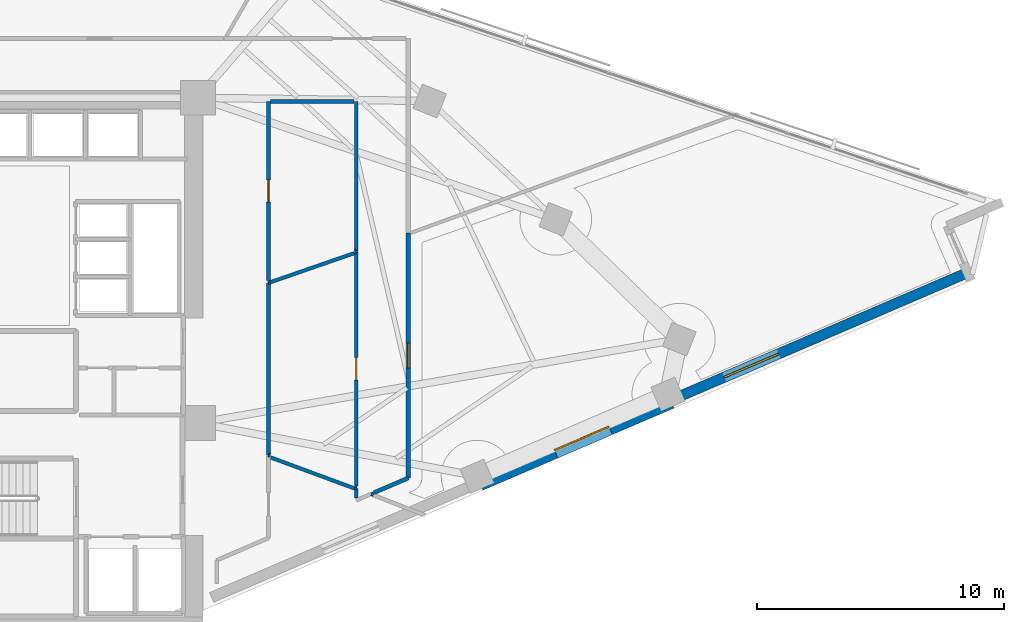
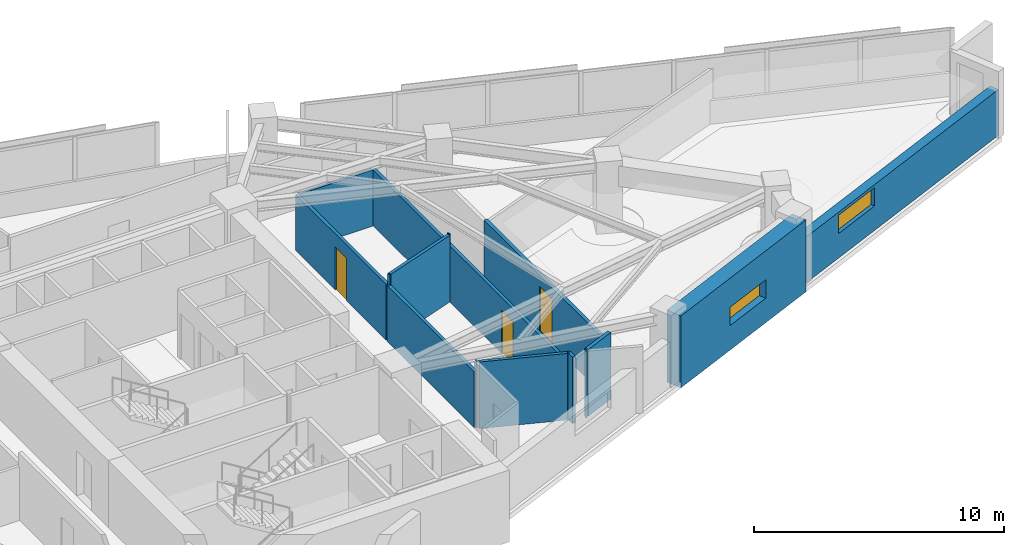
# One storey, part 11 of 14: 17 walls, 3 doors, 2 windows, 5 openings.
"""IFC4 building model written with IfcOpenShell, lengths in metres."""

from ifc_helpers import new_model, si_unit, direction, frame, frame_2d, origin, place, context, subcontext, project, spatial, rectangle, extrude, material, layer, layer_set, type_object, element, fill, save


model = new_model("IFC4")

# Units and contexts
model_context = context("Model", 3, precision=1e-05, world=origin(), true_north=direction((0.0, 1.0)))
body_context = subcontext(model_context, "Body", "Model", "MODEL_VIEW")
ifc_project = project(units=[si_unit("LENGTHUNIT", "METRE"), si_unit("AREAUNIT", "SQUARE_METRE"), si_unit("VOLUMEUNIT", "CUBIC_METRE"), si_unit("PLANEANGLEUNIT", "RADIAN"), si_unit("MASSUNIT", "GRAM", prefix="KILO")], contexts=[model_context])

# Site, building, storey
site_placement = place(None, origin())
site = spatial("IfcSite", under=ifc_project, at=site_placement, CompositionType="ELEMENT")
building_placement = place(site_placement, origin())
building = spatial("IfcBuilding", under=site, at=building_placement, Name="Narakoshi Arena Tower", CompositionType="ELEMENT")
storey_placement = place(building_placement, frame((0.0, 0.0, 182.6201171875)))
storey = spatial("IfcBuildingStorey", under=building, at=storey_placement, Name="L49", CompositionType="ELEMENT", Elevation=182.6201171875)

# Wall, opening, door
ifc_material_1 = material(Name="Gypsum plasterboard fire-rated partition")
ifc_layer_1 = layer(ifc_material_1, 0.1650390625)
ifc_layer_set_1 = layer_set([ifc_layer_1], Name="Gypsum plasterboard fire-rated partition")
wall_type_1 = type_object("IfcWallType", Name="WL-CORR-165", PredefinedType="PARTITIONING", material=ifc_layer_set_1)
wall_1_placement = place(storey_placement, frame((94.050048828125, 41.126708984375, 0.0), z_axis=(0.0, 0.0, 1.0), x_axis=(0.0, 1.0, 0.0)))
wall_1 = element("IfcWall", 1, at=wall_1_placement, inside=storey, type_object=wall_type_1, Name="L49 Corridor Partition 04-1", PredefinedType="PARTITIONING", context=body_context, shape_type="SweptSolid", body=[
    extrude(rectangle(XDim=9.90576171875, YDim=0.1650390625, at=frame_2d((4.952880859375, 0.0))), origin(), (0.0, 0.0, 1.0), 2.744873046875),
])
opening_1_placement = place(wall_1_placement, frame((4.452880859375, 0.0, 0.0)))
opening_1 = element("IfcOpeningElement", 2, at=opening_1_placement, cuts=wall_1, Name="Opening D-06", PredefinedType="OPENING", context=body_context, shape_type="SweptSolid", body=[
    extrude(rectangle(XDim=1.0, YDim=2.199951171875, at=frame_2d((0.5, 1.10009765625))), frame((0.0, 0.092529296875, 0.0), z_axis=(0.0, -1.0, 0.0), x_axis=(1.0, 0.0, 0.0)), (0.0, 0.0, 1.0), 0.18505859375),
])
ifc_material_2 = material(Name="Stained oak solid-core timber", Category="wood")
door_type_1 = type_object("IfcDoorType", Name="DR-OFF-1000", OperationType="NOTDEFINED", PredefinedType="DOOR", material=ifc_material_2)
door_1_placement = place(opening_1_placement, frame((1.0, 0.0, 0.0), z_axis=(0.0, 0.0, 1.0), x_axis=(-1.0, 0.0, 0.0)))
door_1 = element("IfcDoor", 3, at=door_1_placement, inside=storey, type_object=door_type_1, Name="DR-L49-018", OperationType="SINGLE_SWING_RIGHT", OverallHeight=2.199951171875, OverallWidth=1.0, PredefinedType="DOOR", context=body_context, shape_type="SweptSolid", body=[
    extrude(rectangle(XDim=1.0, YDim=2.199951171875, at=frame_2d((0.5, 1.10009765625))), frame((0.0, 0.02490234375, 0.0), z_axis=(0.0, -1.0, 0.0), x_axis=(1.0, 0.0, 0.0)), (0.0, 0.0, 1.0), 0.050048828125),
])
fill(opening_1, door_1)

# Wall
wall_2_placement = place(storey_placement, frame((92.666748046875, 40.532470703125, 0.0), z_axis=(0.0, 0.0, 1.0), x_axis=(0.918809189305, 0.394702006136, 0.0)))
element("IfcWall", 4, at=wall_2_placement, inside=storey, type_object=wall_type_1, Name="L49 Corridor Partition 04-2", PredefinedType="PARTITIONING", context=body_context, shape_type="SweptSolid", body=[
    extrude(rectangle(XDim=1.505615234375, YDim=0.1650390625, at=frame_2d((0.7529296875, 0.0))), origin(), (0.0, 0.0, 1.0), 3.259765625),
])

# Wall, opening, window
ifc_material_3 = material(Name="Concrete C60/75", Category="concrete")
ifc_layer_2 = layer(ifc_material_3, 0.699951171875)
ifc_layer_set_2 = layer_set([ifc_layer_2], Name="Concrete C60/75")
wall_type_2 = type_object("IfcWallType", Name="WL-LEG-700", PredefinedType="SHEAR", material=ifc_layer_set_2)
wall_3_placement = place(storey_placement, frame((96.936767578125, 40.951904296875, -0.260009765625), z_axis=(0.0, 0.0, 1.0), x_axis=(0.918782407933, 0.394764343468, 0.0)))
wall_3 = element("IfcWall", 5, at=wall_3_placement, inside=storey, type_object=wall_type_2, Name="L49 Architectural Concrete Structural Wall LEGA-3", PredefinedType="SHEAR", context=body_context, shape_type="SweptSolid", body=[
    extrude(rectangle(XDim=8.401611328125, YDim=0.699951171875, at=frame_2d((4.20068359375, 0.0))), origin(), (0.0, 0.0, 1.0), 3.519775390625),
])
opening_2_placement = place(wall_3_placement, frame((3.2939453125, 0.0, 1.199951171875)))
opening_2 = element("IfcOpeningElement", 6, at=opening_2_placement, cuts=wall_3, Name="Opening WN-01", PredefinedType="OPENING", context=body_context, shape_type="SweptSolid", body=[
    extrude(rectangle(XDim=2.39990234375, YDim=0.89990234375, at=frame_2d((1.199951171875, 0.449951171875))), frame((0.0, 0.35986328125, 0.0), z_axis=(0.0, -1.0, 0.0), x_axis=(1.0, 0.0, 0.0)), (0.0, 0.0, 1.0), 0.719970703125),
])
ifc_material_4 = material(Name="Bronze-tinted low-E laminated glass", Category="glass")
window_type = type_object("IfcWindowType", Name="WIN-SLT-24x09", PartitioningType="SINGLE_PANEL", PredefinedType="WINDOW", material=ifc_material_4)
window_1_placement = place(opening_2_placement, origin())
window_1 = element("IfcWindow", 7, at=window_1_placement, inside=storey, type_object=window_type, Name="L49 LEGA3 Horizontal Slot Window 1", OverallHeight=0.89990234375, OverallWidth=2.39990234375, PartitioningType="SINGLE_PANEL", PredefinedType="WINDOW", context=body_context, shape_type="SweptSolid", body=[
    extrude(rectangle(XDim=2.39990234375, YDim=0.89990234375, at=frame_2d((1.199951171875, 0.449951171875))), frame((0.0, 0.030029296875, 0.0), z_axis=(0.0, -1.0, 0.0), x_axis=(1.0, 0.0, 0.0)), (0.0, 0.0, 1.0), 0.06005859375),
])
fill(opening_2, window_1)

ifc_material_5 = material(Name="Precast concrete C45/55", Category="concrete")
ifc_layer_3 = layer(ifc_material_5, 0.419921875)
ifc_layer_set_3 = layer_set([ifc_layer_3], Name="Precast concrete C45/55")
wall_type_3 = type_object("IfcWallType", Name="WL-POD-420", PredefinedType="SOLIDWALL", material=ifc_layer_set_3)
wall_4_placement = place(storey_placement, frame((104.656005859375, 44.2685546875, 0.0), z_axis=(0.0, 0.0, 1.0), x_axis=(0.918789071809, 0.394748833467, 0.0)))
wall_4 = element("IfcWall", 8, at=wall_4_placement, inside=storey, type_object=wall_type_3, Name="L49 Architectural Concrete Facade Wall LEGA-4", PredefinedType="SOLIDWALL", context=body_context, shape_type="SweptSolid", body=[
    extrude(rectangle(XDim=13.06884765625, YDim=0.419921875, at=frame_2d((6.534423828125, 0.0))), origin(), (0.0, 0.0, 1.0), 2.244873046875),
])
opening_3_placement = place(wall_4_placement, frame((2.362060546875, 0.0, 1.199951171875)))
opening_3 = element("IfcOpeningElement", 9, at=opening_3_placement, cuts=wall_4, Name="Opening WN-01", PredefinedType="OPENING", context=body_context, shape_type="SweptSolid", body=[
    extrude(rectangle(XDim=2.39990234375, YDim=0.89990234375, at=frame_2d((1.199951171875, 0.449951171875))), frame((0.0, 0.219970703125, 0.0), z_axis=(0.0, -1.0, 0.0), x_axis=(1.0, 0.0, 0.0)), (0.0, 0.0, 1.0), 0.43994140625),
])
window_2_placement = place(opening_3_placement, origin())
window_2 = element("IfcWindow", 10, at=window_2_placement, inside=storey, type_object=window_type, Name="L49 LEGA4 Horizontal Slot Window 1", OverallHeight=0.89990234375, OverallWidth=2.39990234375, PartitioningType="SINGLE_PANEL", PredefinedType="WINDOW", context=body_context, shape_type="SweptSolid", body=[
    extrude(rectangle(XDim=2.39990234375, YDim=0.89990234375, at=frame_2d((1.199951171875, 0.449951171875))), frame((0.0, 0.030029296875, 0.0), z_axis=(0.0, -1.0, 0.0), x_axis=(1.0, 0.0, 0.0)), (0.0, 0.0, 1.0), 0.06005859375),
])
fill(opening_3, window_2)

# Walls
ifc_material_6 = material(Name="Moisture-resistant cement-board partition")
ifc_layer_4 = layer(ifc_material_6, 0.14501953125)
ifc_layer_set_4 = layer_set([ifc_layer_4], Name="Moisture-resistant cement-board partition")
wall_type_4 = type_object("IfcWallType", Name="WL-WET-145", PredefinedType="PARTITIONING", material=ifc_layer_set_4)
wall_5_placement = place(storey_placement, frame((91.949951171875, 40.709716796875, 0.0), z_axis=(0.0, 0.0, 1.0), x_axis=(0.0, -1.0, 0.0)))
element("IfcWall", 11, at=wall_5_placement, inside=storey, type_object=wall_type_4, Name="L49 Corridor Partition 02-4", PredefinedType="PARTITIONING", context=body_context, shape_type="SweptSolid", body=[
    extrude(rectangle(XDim=0.393310546875, YDim=0.14501953125, at=frame_2d((0.19677734375, 0.0))), origin(), (0.0, 0.0, 1.0), 3.259765625),
])
wall_6_placement = place(storey_placement, frame((92.55615234375, 40.485107421875, 0.0), z_axis=(0.0, 0.0, 1.0), x_axis=(0.936559447389, -0.35050877522, 0.0)))
element("IfcWall", 12, at=wall_6_placement, inside=storey, type_object=wall_type_4, Name="L49 Corridor Partition 02-5", PredefinedType="PARTITIONING", context=body_context, shape_type="SweptSolid", body=[
    extrude(rectangle(XDim=0.087158203125, YDim=0.14501953125, at=frame_2d((0.04345703125, 0.0))), origin(), (0.0, 0.0, 1.0), 3.259765625),
])
wall_7_placement = place(storey_placement, frame((91.889892578125, 40.732177734375, 0.0), z_axis=(0.0, 0.0, 1.0), x_axis=(0.9366417498, -0.350288784478, 0.0)))
element("IfcWall", 13, at=wall_7_placement, inside=storey, type_object=wall_type_4, Name="L49 Corridor Partition 02-6", PredefinedType="PARTITIONING", context=body_context, shape_type="SweptSolid", body=[
    extrude(rectangle(XDim=0.064208984375, YDim=0.14501953125, at=frame_2d((0.0322265625, 0.0))), origin(), (0.0, 0.0, 1.0), 3.259765625),
])
wall_8_placement = place(storey_placement, frame((88.484619140625, 41.956787109375, 0.0), z_axis=(0.0, 0.0, 1.0), x_axis=(0.937944697407, -0.346784867903, 0.0)))
element("IfcWall", 14, at=wall_8_placement, inside=storey, type_object=wall_type_4, Name="L49 Inter-Room Partition 02-03", PredefinedType="PARTITIONING", context=body_context, shape_type="SweptSolid", body=[
    extrude(rectangle(XDim=3.6044921875, YDim=0.14501953125, at=frame_2d((1.80224609375, 0.0))), origin(), (0.0, 0.0, 1.0), 3.259765625),
])

# Wall, opening, door
wall_9_placement = place(storey_placement, frame((91.949951171875, 50.28271484375, 0.0), z_axis=(0.0, 0.0, 1.0), x_axis=(0.0, -1.0, 0.0)))
wall_9 = element("IfcWall", 15, at=wall_9_placement, inside=storey, type_object=wall_type_4, Name="L49 Corridor Partition 03-1", PredefinedType="PARTITIONING", context=body_context, shape_type="SweptSolid", body=[
    extrude(rectangle(XDim=9.48291015625, YDim=0.14501953125, at=frame_2d((4.741455078125, 0.0))), origin(), (0.0, 0.0, 1.0), 2.744873046875),
])
opening_4_placement = place(wall_9_placement, frame((4.29150390625, 0.0, 0.0)))
opening_4 = element("IfcOpeningElement", 16, at=opening_4_placement, cuts=wall_9, Name="Opening D-08", PredefinedType="OPENING", context=body_context, shape_type="SweptSolid", body=[
    extrude(rectangle(XDim=0.89990234375, YDim=2.10009765625, at=frame_2d((0.449951171875, 1.050048828125))), frame((0.0, 0.08251953125, 0.0), z_axis=(0.0, -1.0, 0.0), x_axis=(1.0, 0.0, 0.0)), (0.0, 0.0, 1.0), 0.1650390625),
])
ifc_material_7 = material(Name="Moisture-resistant laminate timber", Category="wood")
door_type_2 = type_object("IfcDoorType", Name="DR-WC-900", OperationType="NOTDEFINED", PredefinedType="DOOR", material=ifc_material_7)
door_2_placement = place(opening_4_placement, frame((0.89990234375, 0.0, 0.0), z_axis=(0.0, 0.0, 1.0), x_axis=(-1.0, 0.0, 0.0)))
door_2 = element("IfcDoor", 17, at=door_2_placement, inside=storey, type_object=door_type_2, Name="DR-L49-017", OperationType="SINGLE_SWING_RIGHT", OverallHeight=2.10009765625, OverallWidth=0.89990234375, PredefinedType="DOOR", context=body_context, shape_type="SweptSolid", body=[
    extrude(rectangle(XDim=0.89990234375, YDim=2.10009765625, at=frame_2d((0.449951171875, 1.050048828125))), frame((0.0, 0.02490234375, 0.0), z_axis=(0.0, -1.0, 0.0), x_axis=(1.0, 0.0, 0.0)), (0.0, 0.0, 1.0), 0.050048828125),
])
fill(opening_4, door_2)

# Walls
wall_10_placement = place(storey_placement, frame((88.39990234375, 42.052001953125, 0.0), z_axis=(0.0, 0.0, 1.0), x_axis=(0.0, 1.0, 0.0)))
element("IfcWall", 18, at=wall_10_placement, inside=storey, type_object=wall_type_4, Name="L49 Corridor Partition 03-2", PredefinedType="PARTITIONING", context=body_context, shape_type="SweptSolid", body=[
    extrude(rectangle(XDim=6.963134765625, YDim=0.14501953125, at=frame_2d((3.4814453125, 0.0))), origin(), (0.0, 0.0, 1.0), 2.744873046875),
])
wall_11_placement = place(storey_placement, frame((88.4599609375, 42.02978515625, 0.0), z_axis=(0.0, 0.0, 1.0), x_axis=(-0.937886655879, 0.346941811727, 0.0)))
element("IfcWall", 19, at=wall_11_placement, inside=storey, type_object=wall_type_4, Name="L49 Corridor Partition 03-3", PredefinedType="PARTITIONING", context=body_context, shape_type="SweptSolid", body=[
    extrude(rectangle(XDim=0.06396484375, YDim=0.14501953125, at=frame_2d((0.031982421875, 0.0))), origin(), (0.0, 0.0, 1.0), 3.259765625),
])
wall_12_placement = place(storey_placement, frame((88.39990234375, 49.01513671875, 0.0), z_axis=(0.0, 0.0, 1.0), x_axis=(0.941568596034, 0.336821286386, 0.0)))
element("IfcWall", 20, at=wall_12_placement, inside=storey, type_object=wall_type_4, Name="L49 Corridor Partition 03-4", PredefinedType="PARTITIONING", context=body_context, shape_type="SweptSolid", body=[
    extrude(rectangle(XDim=0.063720703125, YDim=0.14501953125, at=frame_2d((0.03173828125, 0.0))), origin(), (0.0, 0.0, 1.0), 3.259765625),
])
wall_13_placement = place(storey_placement, frame((88.460205078125, 49.035888671875, 0.0), z_axis=(0.0, 0.0, 1.0), x_axis=(0.944947404907, 0.327222251627, 0.0)))
element("IfcWall", 21, at=wall_13_placement, inside=storey, type_object=wall_type_4, Name="L49 Inter-Room Partition 03-06", PredefinedType="PARTITIONING", context=body_context, shape_type="SweptSolid", body=[
    extrude(rectangle(XDim=3.603759765625, YDim=0.14501953125, at=frame_2d((1.8017578125, 0.0))), origin(), (0.0, 0.0, 1.0), 3.259765625),
])

# Wall, opening, door
wall_14_placement = place(storey_placement, frame((88.39990234375, 49.104736328125, 0.0), z_axis=(0.0, 0.0, 1.0), x_axis=(0.0, 1.0, 0.0)))
wall_14 = element("IfcWall", 22, at=wall_14_placement, inside=storey, type_object=wall_type_4, Name="L49 Corridor Partition 06-1", PredefinedType="PARTITIONING", context=body_context, shape_type="SweptSolid", body=[
    extrude(rectangle(XDim=7.245361328125, YDim=0.14501953125, at=frame_2d((3.62255859375, 0.0))), origin(), (0.0, 0.0, 1.0), 2.744873046875),
])
opening_5_placement = place(wall_14_placement, frame((3.172607421875, 0.0, 0.0)))
opening_5 = element("IfcOpeningElement", 23, at=opening_5_placement, cuts=wall_14, Name="Opening D-08", PredefinedType="OPENING", context=body_context, shape_type="SweptSolid", body=[
    extrude(rectangle(XDim=0.89990234375, YDim=2.10009765625, at=frame_2d((0.449951171875, 1.050048828125))), frame((0.0, 0.08251953125, 0.0), z_axis=(0.0, -1.0, 0.0), x_axis=(1.0, 0.0, 0.0)), (0.0, 0.0, 1.0), 0.1650390625),
])
door_3_placement = place(opening_5_placement, frame((0.89990234375, 0.0, 0.0), z_axis=(0.0, 0.0, 1.0), x_axis=(-1.0, 0.0, 0.0)))
door_3 = element("IfcDoor", 24, at=door_3_placement, inside=storey, type_object=door_type_2, Name="DR-L49-020", OperationType="SINGLE_SWING_LEFT", OverallHeight=2.10009765625, OverallWidth=0.89990234375, PredefinedType="DOOR", context=body_context, shape_type="SweptSolid", body=[
    extrude(rectangle(XDim=0.89990234375, YDim=2.10009765625, at=frame_2d((0.449951171875, 1.050048828125))), frame((0.0, 0.02490234375, 0.0), z_axis=(0.0, -1.0, 0.0), x_axis=(1.0, 0.0, 0.0)), (0.0, 0.0, 1.0), 0.050048828125),
])
fill(opening_5, door_3)

# Walls
wall_15_placement = place(storey_placement, frame((91.949951171875, 56.35009765625, 0.0), z_axis=(0.0, 0.0, 1.0), x_axis=(0.0, -1.0, 0.0)))
element("IfcWall", 25, at=wall_15_placement, inside=storey, type_object=wall_type_4, Name="L49 Corridor Partition 06-2", PredefinedType="PARTITIONING", context=body_context, shape_type="SweptSolid", body=[
    extrude(rectangle(XDim=6.0419921875, YDim=0.14501953125, at=frame_2d((3.02099609375, 0.0))), origin(), (0.0, 0.0, 1.0), 2.744873046875),
])
wall_16_placement = place(storey_placement, frame((88.484619140625, 56.35009765625, 0.0), z_axis=(0.0, 0.0, 1.0), x_axis=(1.0, 0.0, 0.0)))
element("IfcWall", 26, at=wall_16_placement, inside=storey, type_object=wall_type_4, Name="L49 Corridor Partition 06-3", PredefinedType="PARTITIONING", context=body_context, shape_type="SweptSolid", body=[
    extrude(rectangle(XDim=3.380859375, YDim=0.14501953125, at=frame_2d((1.6904296875, 0.0))), origin(), (0.0, 0.0, 1.0), 2.744873046875),
])
wall_17_placement = place(storey_placement, frame((91.949951171875, 50.30810546875, 0.0), z_axis=(0.0, 0.0, 1.0), x_axis=(-0.942777884126, -0.333421446825, 0.0)))
element("IfcWall", 27, at=wall_17_placement, inside=storey, type_object=wall_type_4, Name="L49 Corridor Partition 06-4", PredefinedType="PARTITIONING", context=body_context, shape_type="SweptSolid", body=[
    extrude(rectangle(XDim=0.063720703125, YDim=0.14501953125, at=frame_2d((0.03173828125, 0.0))), origin(), (0.0, 0.0, 1.0), 3.259765625),
])

save(model, "model.ifc")
